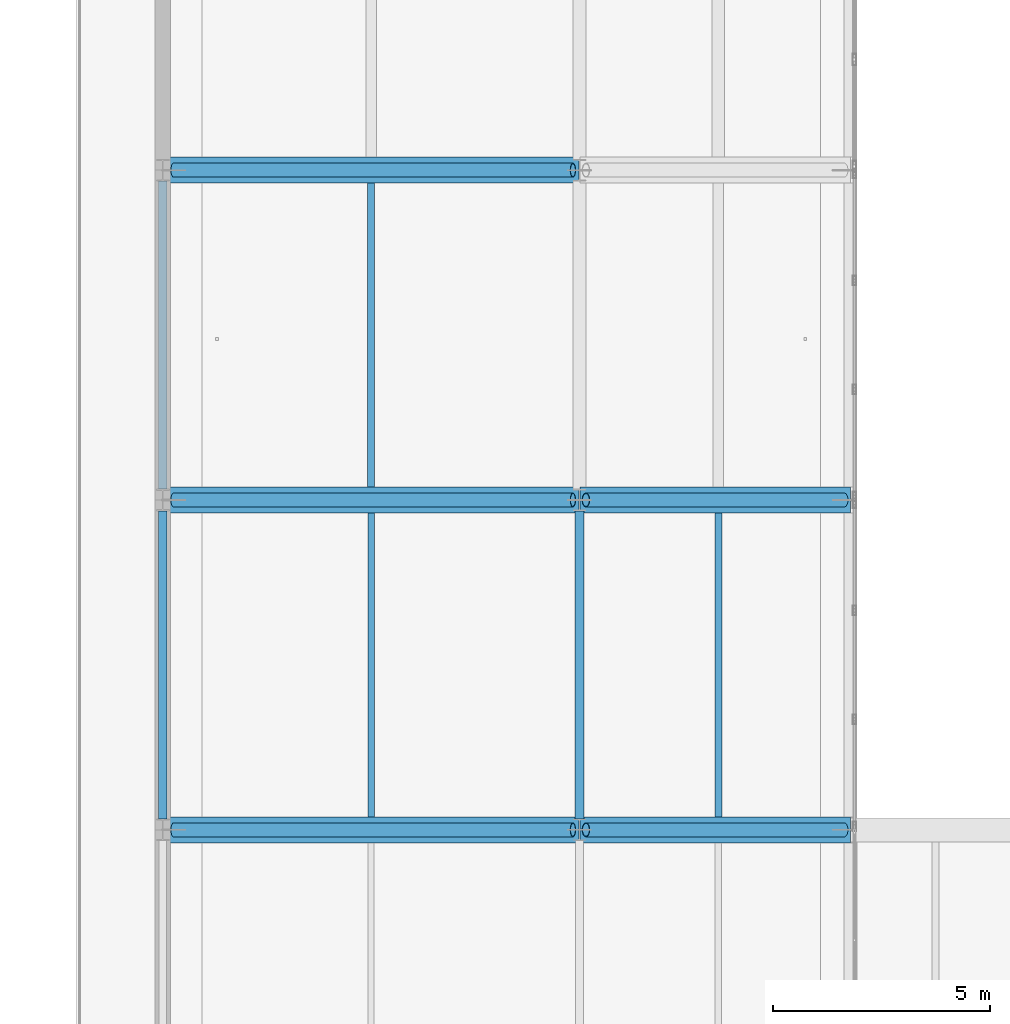
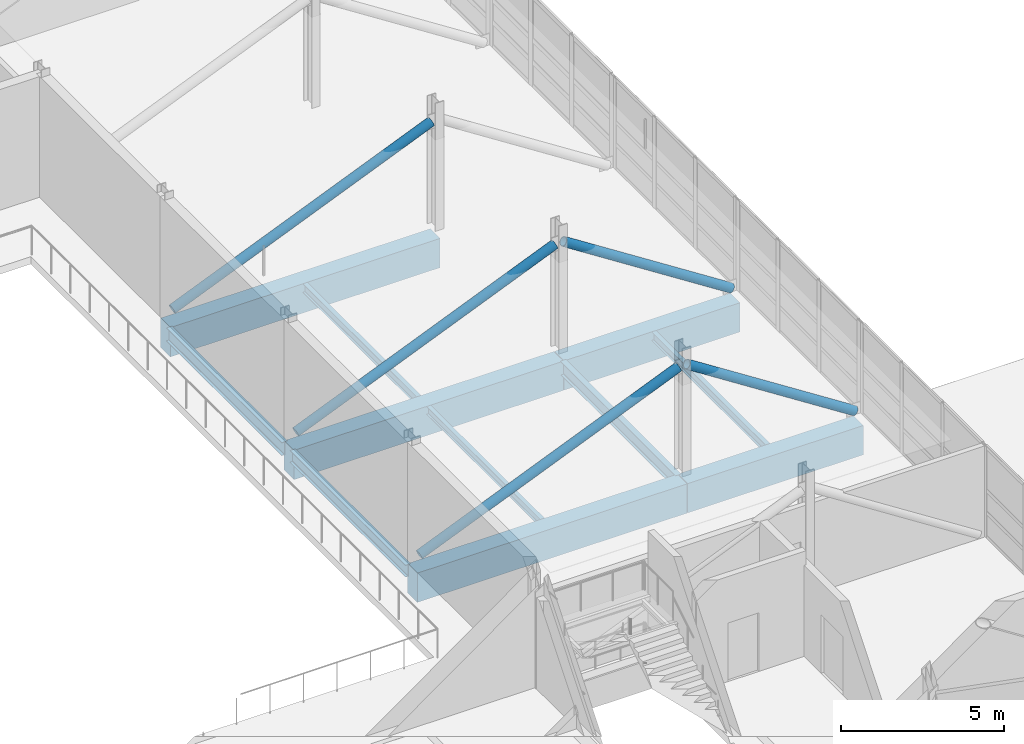
# One storey, part 13 of 107: 11 beams, 5 members.
"""IFC4 building model written with IfcOpenShell, lengths in metres."""

from ifc_helpers import new_model, si_unit, direction, frame, origin, origin_2d, place, context, subcontext, project, spatial, rectangle, hollow_circle, i_section, extrude, material, material_profile, profile_set, type_object, element, save


model = new_model("IFC4")

# Units and contexts
model_context = context("Model", 3, precision=1e-05, world=origin(), true_north=direction((0.0, 1.0)))
body_context = subcontext(model_context, "Body", "Model", "MODEL_VIEW")
ifc_project = project(units=[si_unit("LENGTHUNIT", "METRE"), si_unit("AREAUNIT", "SQUARE_METRE"), si_unit("VOLUMEUNIT", "CUBIC_METRE"), si_unit("PLANEANGLEUNIT", "RADIAN"), si_unit("MASSUNIT", "GRAM", prefix="KILO")], contexts=[model_context])

# Site, building, storey
site_placement = place(None, origin())
site = spatial("IfcSite", under=ifc_project, at=site_placement, CompositionType="ELEMENT")
building_placement = place(site_placement, origin())
building = spatial("IfcBuilding", under=site, at=building_placement, Name="Khelvaren Railside Concert Hall", CompositionType="ELEMENT")
storey_placement = place(building_placement, frame((0.0, 0.0, 15.0)))
storey = spatial("IfcBuildingStorey", under=building, at=storey_placement, Name="L03", CompositionType="ELEMENT", Elevation=15.0)

# Beams
ifc_material_1 = material(Name="Steel S355", Category="steel")
ifc_material_profile_1 = material_profile(ifc_material_1, i_section(OverallWidth=0.199951171875, OverallDepth=0.5, WebThickness=0.01025390625, FlangeThickness=0.01611328125, FilletRadius=0.02099609375, at=origin_2d()), Name="IPE 500")
ifc_profile_set_1 = profile_set([ifc_material_profile_1], Name="Steel S355")
beam_type_1 = type_object("IfcBeamType", Name="BM62", PredefinedType="BEAM", material=ifc_profile_set_1)
beam_1_placement = place(storey_placement, frame((40.0, 23.050048828125, -0.530029296875), z_axis=(0.0, 1.0, 0.0), x_axis=(-1.0, 0.0, 0.0)))
element("IfcBeam", 1, at=beam_1_placement, inside=storey, type_object=beam_type_1, Name="V1 L03 Beam Y6.4", PredefinedType="BEAM", context=body_context, shape_type="SweptSolid", body=[
    extrude(i_section(OverallWidth=0.199951171875, OverallDepth=0.5, WebThickness=0.01025390625, FlangeThickness=0.01611328125, FilletRadius=0.02099609375, at=origin_2d()), origin(), (0.0, 0.0, 1.0), 7.099853515625),
])
beam_2_placement = place(storey_placement, frame((49.60009765625, 15.449951171875, -0.530029296875), z_axis=(0.0, 1.0, 0.0), x_axis=(-1.0, 0.0, 0.0)))
element("IfcBeam", 2, at=beam_2_placement, inside=storey, type_object=beam_type_1, Name="V1 L03 Beam Y7.3", PredefinedType="BEAM", context=body_context, shape_type="SweptSolid", body=[
    extrude(i_section(OverallWidth=0.199951171875, OverallDepth=0.5, WebThickness=0.01025390625, FlangeThickness=0.01611328125, FilletRadius=0.02099609375, at=origin_2d()), origin(), (0.0, 0.0, 1.0), 7.10009765625),
])
ifc_material_profile_2 = material_profile(ifc_material_1, i_section(OverallWidth=0.18994140625, OverallDepth=0.449951171875, WebThickness=0.009521484375, FlangeThickness=0.0146484375, FilletRadius=0.02099609375, at=origin_2d()), Name="IPE 450")
ifc_profile_set_2 = profile_set([ifc_material_profile_2], Name="Steel S355")
beam_type_2 = type_object("IfcBeamType", Name="BM95", PredefinedType="BEAM", material=ifc_profile_set_2)
beam_3_placement = place(storey_placement, frame((40.0, 15.449951171875, -0.5048828125), z_axis=(0.0, 1.0, 0.0), x_axis=(-1.0, 0.0, 0.0)))
element("IfcBeam", 3, at=beam_3_placement, inside=storey, type_object=beam_type_2, Name="V1 L03 Beam Y6.3", PredefinedType="BEAM", context=body_context, shape_type="SweptSolid", body=[
    extrude(i_section(OverallWidth=0.18994140625, OverallDepth=0.449951171875, WebThickness=0.009521484375, FlangeThickness=0.0146484375, FilletRadius=0.02099609375, at=origin_2d()), origin(), (0.0, 0.0, 1.0), 7.10009765625),
])

# Members
ifc_material_profile_3 = material_profile(ifc_material_1, hollow_circle(Radius=0.161865234375, WallThickness=0.01611328125, at=origin_2d()), Name="CHS 323.9x16")
ifc_profile_set_3 = profile_set([ifc_material_profile_3], Name="Steel S355")
member_type = type_object("IfcMemberType", Name="BR78", PredefinedType="BRACE", material=ifc_profile_set_3)
member_1_placement = place(storey_placement, frame((49.75, 15.199951171875, 3.97998046875), z_axis=(0.840849865516, 0.0, -0.541268421083), x_axis=(0.0, 1.0, 0.0)))
element("IfcMember", 4, at=member_1_placement, inside=storey, type_object=member_type, Name="V1 L03 Plaza Cantilever Truss Diagonal 3A", PredefinedType="BRACE", context=body_context, shape_type="SweptSolid", body=[
    extrude(hollow_circle(Radius=0.161865234375, WallThickness=0.01611328125, at=origin_2d()), origin(), (0.0, 0.0, 1.0), 7.076171875),
])
member_2_placement = place(storey_placement, frame((40.25, 15.199951171875, 0.14990234375), z_axis=(0.923192127953, 0.0, 0.384338776194), x_axis=(0.0, 1.0, 0.0)))
element("IfcMember", 5, at=member_2_placement, inside=storey, type_object=member_type, Name="V1 L03 Plaza Cantilever Truss Backspan Diagonal 3B", PredefinedType="BRACE", context=body_context, shape_type="SweptSolid", body=[
    extrude(hollow_circle(Radius=0.161865234375, WallThickness=0.01611328125, at=origin_2d()), origin(), (0.0, 0.0, 1.0), 9.96533203125),
])
member_3_placement = place(storey_placement, frame((49.75, 22.800048828125, 3.97998046875), z_axis=(0.840849865516, 0.0, -0.541268421083), x_axis=(0.0, 1.0, 0.0)))
element("IfcMember", 6, at=member_3_placement, inside=storey, type_object=member_type, Name="V1 L03 Plaza Cantilever Truss Diagonal 4A", PredefinedType="BRACE", context=body_context, shape_type="SweptSolid", body=[
    extrude(hollow_circle(Radius=0.161865234375, WallThickness=0.01611328125, at=origin_2d()), origin(), (0.0, 0.0, 1.0), 7.076171875),
])
for number, where, z_axis, x_axis, name in (
    (7, (40.25, 22.800048828125, 0.14990234375), (0.923192127953, 0.0, 0.384338776194), (0.0, 1.0, 0.0), "V1 L03 Plaza Cantilever Truss Backspan Diagonal 4B"),
    (8, (40.25, 30.39990234375, 0.14990234375), (0.923192127953, 0.0, 0.384338776194), (0.0, 1.0, 0.0), "V1 L03 Plaza Cantilever Truss Backspan Diagonal 5B"),
):
    element("IfcMember", number, at=place(storey_placement, frame(where, z_axis=z_axis, x_axis=x_axis)), inside=storey, type_object=member_type, Name=name, PredefinedType="BRACE", context=body_context, shape_type="SweptSolid", body=[
        extrude(hollow_circle(Radius=0.161865234375, WallThickness=0.01611328125, at=origin_2d()), origin(), (0.0, 0.0, 1.0), 9.96533203125),
    ])

# Beams
ifc_material_2 = material(Name="Concrete C40/50", Category="concrete")
ifc_material_profile_4 = material_profile(ifc_material_2, rectangle(XDim=0.60009765625, YDim=1.10009765625, at=origin_2d()), Name="RCB 600x1100")
ifc_profile_set_4 = profile_set([ifc_material_profile_4], Name="Concrete C40/50")
beam_type_3 = type_object("IfcBeamType", Name="GR15", PredefinedType="T_BEAM", material=ifc_profile_set_4)
beam_4_placement = place(storey_placement, frame((40.010009765625, 15.199951171875, -0.830078125), z_axis=(1.0, 0.0, 0.0), x_axis=(0.0, 1.0, 0.0)))
element("IfcBeam", 9, at=beam_4_placement, inside=storey, type_object=beam_type_3, Name="V1 L03 Cantilever Backspan Girder 3", PredefinedType="T_BEAM", context=body_context, shape_type="SweptSolid", body=[
    extrude(rectangle(XDim=0.60009765625, YDim=1.10009765625, at=origin_2d()), origin(), (0.0, 0.0, 1.0), 9.580078125),
])
beam_5_placement = place(storey_placement, frame((49.610107421875, 15.199951171875, -0.830078125), z_axis=(1.0, 0.0, 0.0), x_axis=(0.0, 1.0, 0.0)))
element("IfcBeam", 10, at=beam_5_placement, inside=storey, type_object=beam_type_3, Name="V1 L03 Arrival Cantilever Girder 3", PredefinedType="T_BEAM", context=body_context, shape_type="SweptSolid", body=[
    extrude(rectangle(XDim=0.60009765625, YDim=1.10009765625, at=origin_2d()), origin(), (0.0, 0.0, 1.0), 6.239990234375),
])
beam_6_placement = place(storey_placement, frame((40.010009765625, 22.800048828125, -0.830078125), z_axis=(1.0, 0.0, 0.0), x_axis=(0.0, 1.0, 0.0)))
element("IfcBeam", 11, at=beam_6_placement, inside=storey, type_object=beam_type_3, Name="V1 L03 Cantilever Backspan Girder 4", PredefinedType="T_BEAM", context=body_context, shape_type="SweptSolid", body=[
    extrude(rectangle(XDim=0.60009765625, YDim=1.10009765625, at=origin_2d()), origin(), (0.0, 0.0, 1.0), 9.580078125),
])
beam_7_placement = place(storey_placement, frame((49.610107421875, 22.800048828125, -0.830078125), z_axis=(1.0, 0.0, 0.0), x_axis=(0.0, 1.0, 0.0)))
element("IfcBeam", 12, at=beam_7_placement, inside=storey, type_object=beam_type_3, Name="V1 L03 Arrival Cantilever Girder 4", PredefinedType="T_BEAM", context=body_context, shape_type="SweptSolid", body=[
    extrude(rectangle(XDim=0.60009765625, YDim=1.10009765625, at=origin_2d()), origin(), (0.0, 0.0, 1.0), 6.239990234375),
])
beam_8_placement = place(storey_placement, frame((40.010009765625, 30.39990234375, -0.830078125), z_axis=(1.0, 0.0, 0.0), x_axis=(0.0, 1.0, 0.0)))
element("IfcBeam", 13, at=beam_8_placement, inside=storey, type_object=beam_type_3, Name="V1 L03 Cantilever Backspan Girder 5", PredefinedType="T_BEAM", context=body_context, shape_type="SweptSolid", body=[
    extrude(rectangle(XDim=0.60009765625, YDim=1.10009765625, at=origin_2d()), origin(), (0.0, 0.0, 1.0), 9.580078125),
])
ifc_material_profile_5 = material_profile(ifc_material_1, i_section(OverallWidth=0.14990234375, OverallDepth=0.300048828125, WebThickness=0.007080078125, FlangeThickness=0.0107421875, FilletRadius=0.014892578125, at=origin_2d()), Name="IPE 300")
ifc_profile_set_5 = profile_set([ifc_material_profile_5], Name="Steel S355")
beam_type_4 = type_object("IfcBeamType", Name="JS26", PredefinedType="JOIST", material=ifc_profile_set_5)
beam_9_placement = place(storey_placement, frame((44.800048828125, 15.5, -0.429931640625), z_axis=(0.0, 1.0, 0.0), x_axis=(-1.0, 0.0, 0.0)))
element("IfcBeam", 14, at=beam_9_placement, inside=storey, type_object=beam_type_4, Name="V1 L03 Secondary Joist 6.3", PredefinedType="JOIST", context=body_context, shape_type="SweptSolid", body=[
    extrude(i_section(OverallWidth=0.14990234375, OverallDepth=0.300048828125, WebThickness=0.007080078125, FlangeThickness=0.0107421875, FilletRadius=0.014892578125, at=origin_2d()), origin(), (0.0, 0.0, 1.0), 7.0),
])
ifc_material_profile_6 = material_profile(ifc_material_1, i_section(OverallWidth=0.159912109375, OverallDepth=0.330078125, WebThickness=0.007568359375, FlangeThickness=0.011474609375, FilletRadius=0.01806640625, at=origin_2d()), Name="IPE 330")
ifc_profile_set_6 = profile_set([ifc_material_profile_6], Name="Steel S355")
beam_type_5 = type_object("IfcBeamType", Name="JS65", PredefinedType="JOIST", material=ifc_profile_set_6)
for number, where, z_axis, x_axis, name in (
    (15, (44.800048828125, 23.10009765625, -0.445068359375), (0.0, 1.0, 0.0), (-1.0, 0.0, 0.0), "V1 L03 Secondary Joist 6.4"),
    (16, (52.800048828125, 15.5, -0.445068359375), (0.0, 1.0, 0.0), (-1.0, 0.0, 0.0), "V1 L03 Secondary Joist 7.3"),
):
    element("IfcBeam", number, at=place(storey_placement, frame(where, z_axis=z_axis, x_axis=x_axis)), inside=storey, type_object=beam_type_5, Name=name, PredefinedType="JOIST", context=body_context, shape_type="SweptSolid", body=[
        extrude(i_section(OverallWidth=0.159912109375, OverallDepth=0.330078125, WebThickness=0.007568359375, FlangeThickness=0.011474609375, FilletRadius=0.01806640625, at=origin_2d()), origin(), (0.0, 0.0, 1.0), 7.0),
    ])

save(model, "model.ifc")
